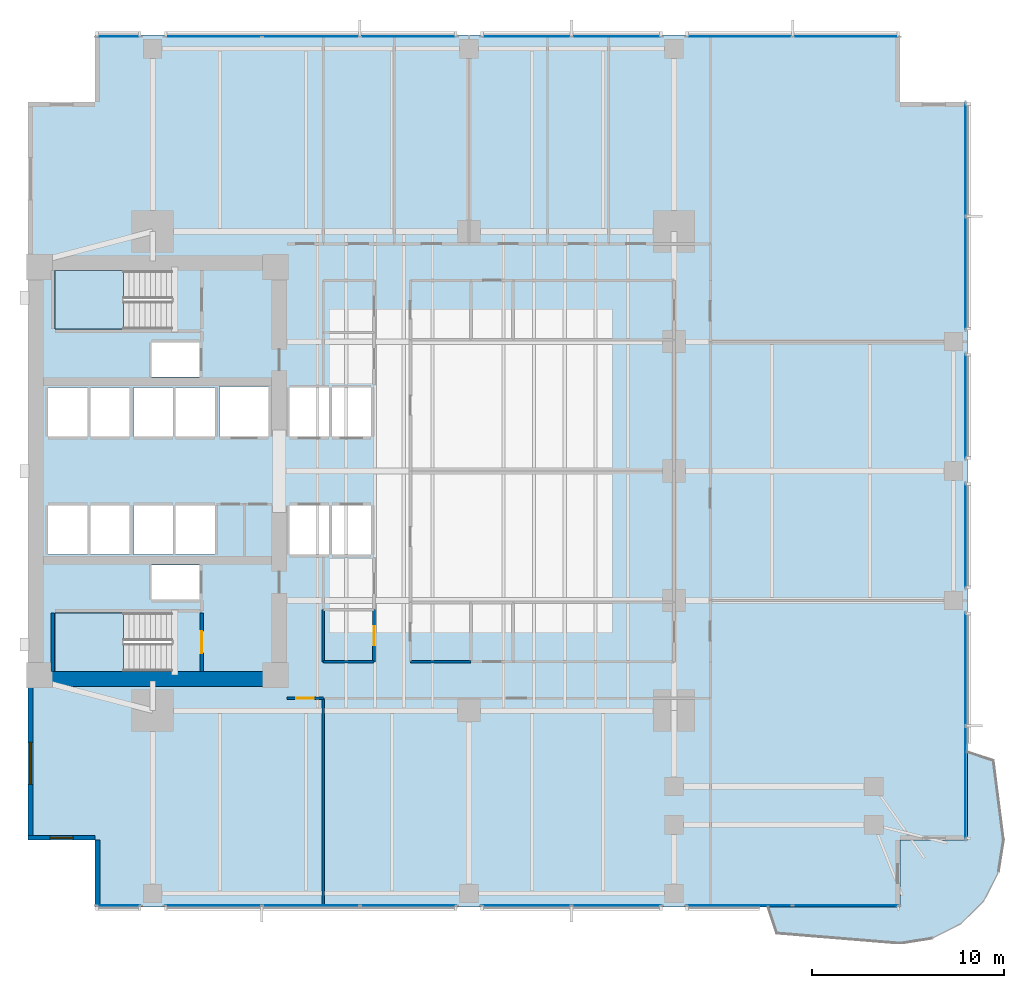
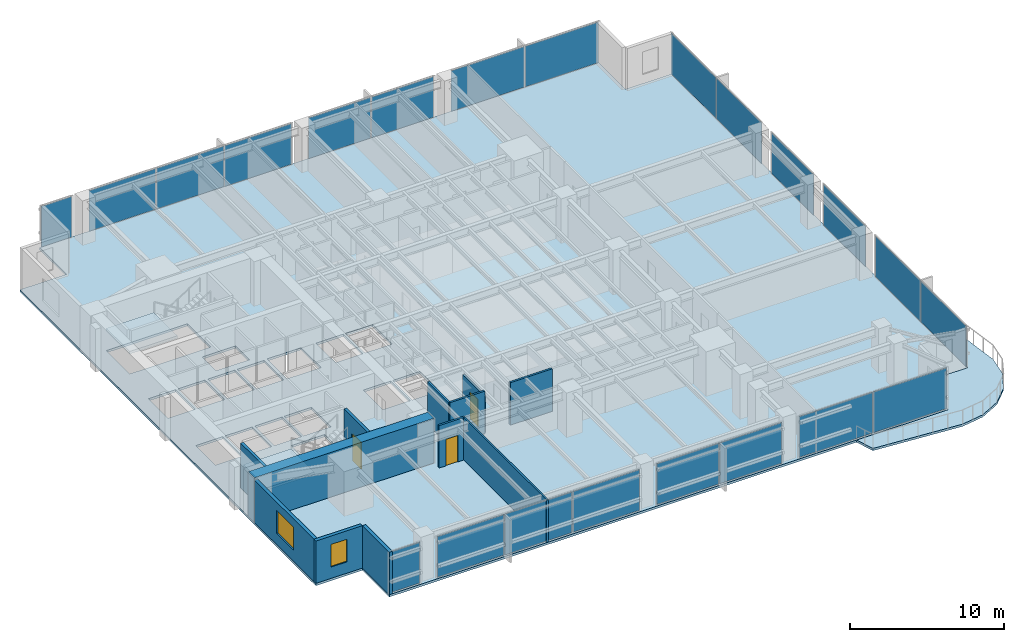
# One storey, part 7 of 15: 22 plates, 12 walls, 4 slabs, 3 doors, 2 windows, 5 openings, 14 elements without a shape of their own.
"""IFC4 building model written with IfcOpenShell, lengths in metres."""

from ifc_helpers import new_model, si_unit, direction, frame, frame_2d, origin, origin_2d, place, context, subcontext, project, spatial, polyline, rectangle, outline, extrude, material, layer, layer_set, type_object, element, fill, aggregate, save


model = new_model("IFC4")

# Units and contexts
model_context = context("Model", 3, precision=1e-05, world=origin(), true_north=direction((0.0, 1.0)))
body_context = subcontext(model_context, "Body", "Model", "MODEL_VIEW")
ifc_project = project(units=[si_unit("LENGTHUNIT", "METRE"), si_unit("AREAUNIT", "SQUARE_METRE"), si_unit("VOLUMEUNIT", "CUBIC_METRE"), si_unit("PLANEANGLEUNIT", "RADIAN"), si_unit("MASSUNIT", "GRAM", prefix="KILO")], contexts=[model_context])

# Site, building, storey
site_placement = place(None, origin())
site = spatial("IfcSite", under=ifc_project, at=site_placement, CompositionType="ELEMENT")
building_placement = place(site_placement, origin())
building = spatial("IfcBuilding", under=site, at=building_placement, Name="Kinhvarn Gate Tower", CompositionType="ELEMENT")
storey_placement = place(building_placement, frame((0.0, 0.0, 46.89990234375)))
storey = spatial("IfcBuildingStorey", under=building, at=storey_placement, Name="L11", CompositionType="ELEMENT", Elevation=46.89990234375)

# Curtain wall, plate
ifc_material_1 = material(Name="Anodised aluminium AW-6063", Category="aluminium")
ifc_layer_1 = layer(ifc_material_1, 0.179931640625)
ifc_layer_set_1 = layer_set([ifc_layer_1], Name="Anodised aluminium AW-6063")
curtain_wall_type = type_object("IfcCurtainWallType", Name="CW-SYS-2", PredefinedType="NOTDEFINED", material=ifc_layer_set_1)
curtain_wall_1_placement = place(storey_placement, origin())
curtain_wall_1 = element("IfcCurtainWall", 1, at=curtain_wall_1_placement, inside=storey, type_object=curtain_wall_type, Name="Curtain Wall CW2 (L11)", PredefinedType="NOTDEFINED")
ifc_material_2 = material(Name="Clear low-e double glazing", Category="glass")
ifc_layer_2 = layer(ifc_material_2, 0.031982421875)
ifc_layer_set_2 = layer_set([ifc_layer_2], Name="Clear low-e double glazing")
plate_type = type_object("IfcPlateType", Name="CW-PNL-VIS", PredefinedType="CURTAIN_PANEL", material=ifc_layer_set_2)
plate_1_placement = place(storey_placement, frame((9.2099609375, 2.590087890625, 0.070068359375), z_axis=(0.0, 0.0, 1.0), x_axis=(1.0, 0.0, 0.0)))
plate_1 = element("IfcPlate", 2, at=plate_1_placement, type_object=plate_type, Name="CW2 panel 1.1", PredefinedType="CURTAIN_PANEL", context=body_context, shape_type="SweptSolid", body=[
    extrude(rectangle(XDim=2.280029296875, YDim=0.031982421875, at=origin_2d()), origin(), (0.0, 0.0, 1.0), 3.22998046875),
])
aggregate(curtain_wall_1, [plate_1])

# Curtain wall, plates
curtain_wall_2_placement = place(storey_placement, origin())
curtain_wall_2 = element("IfcCurtainWall", 3, at=curtain_wall_2_placement, inside=storey, type_object=curtain_wall_type, Name="Curtain Wall CW2 (L11)", PredefinedType="NOTDEFINED")
plate_2_placement = place(storey_placement, frame((14.154052734375, 2.590087890625, 0.070068359375), z_axis=(0.0, 0.0, 1.0), x_axis=(1.0, 0.0, 0.0)))
plate_2 = element("IfcPlate", 4, at=plate_2_placement, type_object=plate_type, Name="CW2 panel 1.1", PredefinedType="CURTAIN_PANEL", context=body_context, shape_type="SweptSolid", body=[
    extrude(rectangle(XDim=5.00830078125, YDim=0.031982421875, at=origin_2d()), origin(), (0.0, 0.0, 1.0), 3.22998046875),
])
plate_3_placement = place(storey_placement, frame((19.25, 2.590087890625, 0.070068359375), z_axis=(0.0, 0.0, 1.0), x_axis=(1.0, 0.0, 0.0)))
plate_3 = element("IfcPlate", 5, at=plate_3_placement, type_object=plate_type, Name="CW2 panel 2.1", PredefinedType="CURTAIN_PANEL", context=body_context, shape_type="SweptSolid", body=[
    extrude(rectangle(XDim=5.043212890625, YDim=0.031982421875, at=origin_2d()), origin(), (0.0, 0.0, 1.0), 3.22998046875),
])
plate_4_placement = place(storey_placement, frame((24.345947265625, 2.590087890625, 0.070068359375), z_axis=(0.0, 0.0, 1.0), x_axis=(1.0, 0.0, 0.0)))
plate_4 = element("IfcPlate", 6, at=plate_4_placement, type_object=plate_type, Name="CW2 panel 3.1", PredefinedType="CURTAIN_PANEL", context=body_context, shape_type="SweptSolid", body=[
    extrude(rectangle(XDim=5.00830078125, YDim=0.031982421875, at=origin_2d()), origin(), (0.0, 0.0, 1.0), 3.22998046875),
])
aggregate(curtain_wall_2, [plate_2, plate_3, plate_4])

curtain_wall_3_placement = place(storey_placement, origin())
curtain_wall_3 = element("IfcCurtainWall", 7, at=curtain_wall_3_placement, inside=storey, type_object=curtain_wall_type, Name="Curtain Wall CW2 (L11)", PredefinedType="NOTDEFINED")
plate_5_placement = place(storey_placement, frame((30.482421875, 2.590087890625, 0.070068359375), z_axis=(0.0, 0.0, 1.0), x_axis=(1.0, 0.0, 0.0)))
plate_5 = element("IfcPlate", 8, at=plate_5_placement, type_object=plate_type, Name="CW2 panel 1.1", PredefinedType="CURTAIN_PANEL", context=body_context, shape_type="SweptSolid", body=[
    extrude(rectangle(XDim=4.6650390625, YDim=0.031982421875, at=origin_2d()), origin(), (0.0, 0.0, 1.0), 3.22998046875),
])
plate_6_placement = place(storey_placement, frame((35.217529296875, 2.590087890625, 0.070068359375), z_axis=(0.0, 0.0, 1.0), x_axis=(1.0, 0.0, 0.0)))
plate_6 = element("IfcPlate", 9, at=plate_6_placement, type_object=plate_type, Name="CW2 panel 2.1", PredefinedType="CURTAIN_PANEL", context=body_context, shape_type="SweptSolid", body=[
    extrude(rectangle(XDim=4.6650390625, YDim=0.031982421875, at=origin_2d()), origin(), (0.0, 0.0, 1.0), 3.22998046875),
])
aggregate(curtain_wall_3, [plate_5, plate_6])

curtain_wall_4_placement = place(storey_placement, origin())
curtain_wall_4 = element("IfcCurtainWall", 10, at=curtain_wall_4_placement, inside=storey, type_object=curtain_wall_type, Name="Curtain Wall CW2 (L11)", PredefinedType="NOTDEFINED")
plate_7_placement = place(storey_placement, frame((41.6025390625, 2.590087890625, 0.070068359375), z_axis=(0.0, 0.0, 1.0), x_axis=(1.0, 0.0, 0.0)))
plate_7 = element("IfcPlate", 11, at=plate_7_placement, type_object=plate_type, Name="CW2 panel 1.1", PredefinedType="CURTAIN_PANEL", context=body_context, shape_type="SweptSolid", body=[
    extrude(rectangle(XDim=5.5048828125, YDim=0.031982421875, at=origin_2d()), origin(), (0.0, 0.0, 1.0), 3.22998046875),
])
plate_8_placement = place(storey_placement, frame((47.177490234375, 2.590087890625, 0.070068359375), z_axis=(0.0, 0.0, 1.0), x_axis=(1.0, 0.0, 0.0)))
plate_8 = element("IfcPlate", 12, at=plate_8_placement, type_object=plate_type, Name="CW2 panel 2.1", PredefinedType="CURTAIN_PANEL", context=body_context, shape_type="SweptSolid", body=[
    extrude(rectangle(XDim=5.5048828125, YDim=0.031982421875, at=origin_2d()), origin(), (0.0, 0.0, 1.0), 3.22998046875),
])
aggregate(curtain_wall_4, [plate_7, plate_8])

curtain_wall_5_placement = place(storey_placement, origin())
curtain_wall_5 = element("IfcCurtainWall", 13, at=curtain_wall_5_placement, inside=storey, type_object=curtain_wall_type, Name="Curtain Wall CW2 (L11)", PredefinedType="NOTDEFINED")
plate_9_placement = place(storey_placement, frame((47.177490234375, 47.909912109375, 0.070068359375), z_axis=(0.0, 0.0, 1.0), x_axis=(-1.0, 0.0, 0.0)))
plate_9 = element("IfcPlate", 14, at=plate_9_placement, type_object=plate_type, Name="CW2 panel 1.1", PredefinedType="CURTAIN_PANEL", context=body_context, shape_type="SweptSolid", body=[
    extrude(rectangle(XDim=5.5048828125, YDim=0.031982421875, at=origin_2d()), origin(), (0.0, 0.0, 1.0), 3.22998046875),
])
plate_10_placement = place(storey_placement, frame((41.6025390625, 47.909912109375, 0.070068359375), z_axis=(0.0, 0.0, 1.0), x_axis=(-1.0, 0.0, 0.0)))
plate_10 = element("IfcPlate", 15, at=plate_10_placement, type_object=plate_type, Name="CW2 panel 2.1", PredefinedType="CURTAIN_PANEL", context=body_context, shape_type="SweptSolid", body=[
    extrude(rectangle(XDim=5.5048828125, YDim=0.031982421875, at=origin_2d()), origin(), (0.0, 0.0, 1.0), 3.22998046875),
])
aggregate(curtain_wall_5, [plate_9, plate_10])

curtain_wall_6_placement = place(storey_placement, origin())
curtain_wall_6 = element("IfcCurtainWall", 16, at=curtain_wall_6_placement, inside=storey, type_object=curtain_wall_type, Name="Curtain Wall CW2 (L11)", PredefinedType="NOTDEFINED")
plate_11_placement = place(storey_placement, frame((35.217529296875, 47.909912109375, 0.070068359375), z_axis=(0.0, 0.0, 1.0), x_axis=(-1.0, 0.0, 0.0)))
plate_11 = element("IfcPlate", 17, at=plate_11_placement, type_object=plate_type, Name="CW2 panel 1.1", PredefinedType="CURTAIN_PANEL", context=body_context, shape_type="SweptSolid", body=[
    extrude(rectangle(XDim=4.6650390625, YDim=0.031982421875, at=origin_2d()), origin(), (0.0, 0.0, 1.0), 3.22998046875),
])
plate_12_placement = place(storey_placement, frame((30.482421875, 47.909912109375, 0.070068359375), z_axis=(0.0, 0.0, 1.0), x_axis=(-1.0, 0.0, 0.0)))
plate_12 = element("IfcPlate", 18, at=plate_12_placement, type_object=plate_type, Name="CW2 panel 2.1", PredefinedType="CURTAIN_PANEL", context=body_context, shape_type="SweptSolid", body=[
    extrude(rectangle(XDim=4.6650390625, YDim=0.031982421875, at=origin_2d()), origin(), (0.0, 0.0, 1.0), 3.22998046875),
])
aggregate(curtain_wall_6, [plate_11, plate_12])

curtain_wall_7_placement = place(storey_placement, origin())
curtain_wall_7 = element("IfcCurtainWall", 19, at=curtain_wall_7_placement, inside=storey, type_object=curtain_wall_type, Name="Curtain Wall CW2 (L11)", PredefinedType="NOTDEFINED")
plate_13_placement = place(storey_placement, frame((24.345947265625, 47.909912109375, 0.070068359375), z_axis=(0.0, 0.0, 1.0), x_axis=(-1.0, 0.0, 0.0)))
plate_13 = element("IfcPlate", 20, at=plate_13_placement, type_object=plate_type, Name="CW2 panel 1.1", PredefinedType="CURTAIN_PANEL", context=body_context, shape_type="SweptSolid", body=[
    extrude(rectangle(XDim=5.00830078125, YDim=0.031982421875, at=origin_2d()), origin(), (0.0, 0.0, 1.0), 3.22998046875),
])
plate_14_placement = place(storey_placement, frame((19.25, 47.909912109375, 0.070068359375), z_axis=(0.0, 0.0, 1.0), x_axis=(-1.0, 0.0, 0.0)))
plate_14 = element("IfcPlate", 21, at=plate_14_placement, type_object=plate_type, Name="CW2 panel 2.1", PredefinedType="CURTAIN_PANEL", context=body_context, shape_type="SweptSolid", body=[
    extrude(rectangle(XDim=5.043212890625, YDim=0.031982421875, at=origin_2d()), origin(), (0.0, 0.0, 1.0), 3.22998046875),
])
plate_15_placement = place(storey_placement, frame((14.154052734375, 47.909912109375, 0.070068359375), z_axis=(0.0, 0.0, 1.0), x_axis=(-1.0, 0.0, 0.0)))
plate_15 = element("IfcPlate", 22, at=plate_15_placement, type_object=plate_type, Name="CW2 panel 3.1", PredefinedType="CURTAIN_PANEL", context=body_context, shape_type="SweptSolid", body=[
    extrude(rectangle(XDim=5.00830078125, YDim=0.031982421875, at=origin_2d()), origin(), (0.0, 0.0, 1.0), 3.22998046875),
])
aggregate(curtain_wall_7, [plate_13, plate_14, plate_15])

# Curtain wall, plate
curtain_wall_8_placement = place(storey_placement, origin())
curtain_wall_8 = element("IfcCurtainWall", 23, at=curtain_wall_8_placement, inside=storey, type_object=curtain_wall_type, Name="Curtain Wall CW2 (L11)", PredefinedType="NOTDEFINED")
plate_16_placement = place(storey_placement, frame((9.2099609375, 47.909912109375, 0.070068359375), z_axis=(0.0, 0.0, 1.0), x_axis=(-1.0, 0.0, 0.0)))
plate_16 = element("IfcPlate", 24, at=plate_16_placement, type_object=plate_type, Name="CW2 panel 1.1", PredefinedType="CURTAIN_PANEL", context=body_context, shape_type="SweptSolid", body=[
    extrude(rectangle(XDim=2.280029296875, YDim=0.031982421875, at=origin_2d()), origin(), (0.0, 0.0, 1.0), 3.22998046875),
])
aggregate(curtain_wall_8, [plate_16])

# Curtain wall, plates
curtain_wall_9_placement = place(storey_placement, origin())
curtain_wall_9 = element("IfcCurtainWall", 25, at=curtain_wall_9_placement, inside=storey, type_object=curtain_wall_type, Name="Curtain Wall CW2 (L11)", PredefinedType="NOTDEFINED")
plate_17_placement = place(storey_placement, frame((53.409912109375, 8.99755859375, 0.070068359375), z_axis=(0.0, 0.0, 1.0), x_axis=(0.0, 1.0, 0.0)))
plate_17 = element("IfcPlate", 26, at=plate_17_placement, type_object=plate_type, Name="CW2 panel 1.1", PredefinedType="CURTAIN_PANEL", context=body_context, shape_type="SweptSolid", body=[
    extrude(rectangle(XDim=5.85498046875, YDim=0.031982421875, at=origin_2d()), origin(), (0.0, 0.0, 1.0), 3.22998046875),
])
plate_18_placement = place(storey_placement, frame((53.409912109375, 14.922607421875, 0.070068359375), z_axis=(0.0, 0.0, 1.0), x_axis=(0.0, 1.0, 0.0)))
plate_18 = element("IfcPlate", 27, at=plate_18_placement, type_object=plate_type, Name="CW2 panel 2.1", PredefinedType="CURTAIN_PANEL", context=body_context, shape_type="SweptSolid", body=[
    extrude(rectangle(XDim=5.85498046875, YDim=0.031982421875, at=origin_2d()), origin(), (0.0, 0.0, 1.0), 3.22998046875),
])
aggregate(curtain_wall_9, [plate_17, plate_18])

# Curtain wall, plate
curtain_wall_10_placement = place(storey_placement, origin())
curtain_wall_10 = element("IfcCurtainWall", 28, at=curtain_wall_10_placement, inside=storey, type_object=curtain_wall_type, Name="Curtain Wall CW2 (L11)", PredefinedType="NOTDEFINED")
plate_19_placement = place(storey_placement, frame((53.409912109375, 21.875, 0.070068359375), z_axis=(0.0, 0.0, 1.0), x_axis=(0.0, 1.0, 0.0)))
plate_19 = element("IfcPlate", 29, at=plate_19_placement, type_object=plate_type, Name="CW2 panel 1.1", PredefinedType="CURTAIN_PANEL", context=body_context, shape_type="SweptSolid", body=[
    extrude(rectangle(XDim=5.449951171875, YDim=0.031982421875, at=origin_2d()), origin(), (0.0, 0.0, 1.0), 3.22998046875),
])
aggregate(curtain_wall_10, [plate_19])

curtain_wall_11_placement = place(storey_placement, origin())
curtain_wall_11 = element("IfcCurtainWall", 30, at=curtain_wall_11_placement, inside=storey, type_object=curtain_wall_type, Name="Curtain Wall CW2 (L11)", PredefinedType="NOTDEFINED")
plate_20_placement = place(storey_placement, frame((53.409912109375, 28.625, 0.070068359375), z_axis=(0.0, 0.0, 1.0), x_axis=(0.0, 1.0, 0.0)))
plate_20 = element("IfcPlate", 31, at=plate_20_placement, type_object=plate_type, Name="CW2 panel 1.1", PredefinedType="CURTAIN_PANEL", context=body_context, shape_type="SweptSolid", body=[
    extrude(rectangle(XDim=5.449951171875, YDim=0.031982421875, at=origin_2d()), origin(), (0.0, 0.0, 1.0), 3.22998046875),
])
aggregate(curtain_wall_11, [plate_20])

# Curtain wall, plates
curtain_wall_12_placement = place(storey_placement, origin())
curtain_wall_12 = element("IfcCurtainWall", 32, at=curtain_wall_12_placement, inside=storey, type_object=curtain_wall_type, Name="Curtain Wall CW2 (L11)", PredefinedType="NOTDEFINED")
plate_21_placement = place(storey_placement, frame((53.409912109375, 35.577392578125, 0.070068359375), z_axis=(0.0, 0.0, 1.0), x_axis=(0.0, 1.0, 0.0)))
plate_21 = element("IfcPlate", 33, at=plate_21_placement, type_object=plate_type, Name="CW2 panel 1.1", PredefinedType="CURTAIN_PANEL", context=body_context, shape_type="SweptSolid", body=[
    extrude(rectangle(XDim=5.85498046875, YDim=0.031982421875, at=origin_2d()), origin(), (0.0, 0.0, 1.0), 3.22998046875),
])
plate_22_placement = place(storey_placement, frame((53.409912109375, 41.50244140625, 0.070068359375), z_axis=(0.0, 0.0, 1.0), x_axis=(0.0, 1.0, 0.0)))
plate_22 = element("IfcPlate", 34, at=plate_22_placement, type_object=plate_type, Name="CW2 panel 2.1", PredefinedType="CURTAIN_PANEL", context=body_context, shape_type="SweptSolid", body=[
    extrude(rectangle(XDim=5.85498046875, YDim=0.031982421875, at=origin_2d()), origin(), (0.0, 0.0, 1.0), 3.22998046875),
])
aggregate(curtain_wall_12, [plate_21, plate_22])

# Slabs
ifc_material_3 = material(Name="Precast white architectural concrete C40/50", Category="concrete")
ifc_layer_3 = layer(ifc_material_3, 0.179931640625)
ifc_layer_set_3 = layer_set([ifc_layer_3], Name="Precast white architectural concrete C40/50")
slab_type_1 = type_object("IfcSlabType", Name="SLB-BAL-180", PredefinedType="FLOOR", material=ifc_layer_set_3)
slab_1_placement = place(storey_placement, frame((0.0, 0.0, -0.179931640625)))
element("IfcSlab", 35, at=slab_1_placement, inside=storey, type_object=slab_type_1, Name="S-Carve Curved Terrace Balcony Slab L11 (SE)", PredefinedType="FLOOR", context=body_context, shape_type="SweptSolid", body=[
    extrude(outline(polyline([(43.114013671875, 2.5), (43.56396484375, 1.139892578125), (50.0, 0.611083984375), (51.665283203125, 0.874755859375), (53.16748046875, 1.64013671875), (54.35986328125, 2.83251953125), (55.125244140625, 4.334716796875), (55.388916015625, 6.0), (54.860107421875, 10.139892578125), (53.5, 10.590087890625), (53.5, 6.0), (50.0, 6.0), (50.0, 2.5), (43.114013671875, 2.5)])), origin(), (0.0, 0.0, 1.0), 0.179931640625),
])
ifc_material_4 = material(Name="Concrete C40/50", Category="concrete")
ifc_layer_4 = layer(ifc_material_4, 0.179931640625)
ifc_layer_set_4 = layer_set([ifc_layer_4], Name="Concrete C40/50")
slab_type_2 = type_object("IfcSlabType", Name="SLB-FLR-180", PredefinedType="FLOOR", material=ifc_layer_set_4)
slab_2_placement = place(storey_placement, frame((0.0, 0.0, -0.179931640625)))
element("IfcSlab", 36, at=slab_2_placement, inside=storey, type_object=slab_type_2, Name="Suspended Floor Slab L11", PredefinedType="FLOOR", context=body_context, shape_type="SweptSolid", body=[
    extrude(outline(polyline([(8.0, 2.5), (50.0, 2.5), (50.0, 6.0), (53.5, 6.0), (53.5, 44.5), (50.0, 44.5), (50.0, 48.0), (8.0, 48.0), (8.0, 44.5), (4.5, 44.5), (4.5, 6.0), (8.0, 6.0), (8.0, 2.5)]), holes=[polyline([(5.89990234375, 14.800048828125), (12.0, 14.800048828125), (12.0, 17.85009765625), (5.89990234375, 17.85009765625), (5.89990234375, 14.800048828125)]), polyline([(5.89990234375, 32.64990234375), (12.0, 32.64990234375), (12.0, 35.699951171875), (5.89990234375, 35.699951171875), (5.89990234375, 32.64990234375)]), polyline([(18.14990234375, 20.89990234375), (20.199951171875, 20.89990234375), (20.199951171875, 23.449951171875), (18.14990234375, 23.449951171875), (18.14990234375, 20.89990234375)]), polyline([(20.35009765625, 20.89990234375), (22.39990234375, 20.89990234375), (22.39990234375, 23.449951171875), (20.35009765625, 23.449951171875), (20.35009765625, 20.89990234375)]), polyline([(18.14990234375, 27.050048828125), (20.199951171875, 27.050048828125), (20.199951171875, 29.60009765625), (18.14990234375, 29.60009765625), (18.14990234375, 27.050048828125)]), polyline([(20.35009765625, 27.050048828125), (22.39990234375, 27.050048828125), (22.39990234375, 29.60009765625), (20.35009765625, 29.60009765625), (20.35009765625, 27.050048828125)]), polyline([(5.550048828125, 20.89990234375), (7.60009765625, 20.89990234375), (7.60009765625, 23.449951171875), (5.550048828125, 23.449951171875), (5.550048828125, 20.89990234375)]), polyline([(7.75, 20.89990234375), (9.800048828125, 20.89990234375), (9.800048828125, 23.449951171875), (7.75, 23.449951171875), (7.75, 20.89990234375)]), polyline([(5.550048828125, 27.050048828125), (7.60009765625, 27.050048828125), (7.60009765625, 29.60009765625), (5.550048828125, 29.60009765625), (5.550048828125, 27.050048828125)]), polyline([(7.75, 27.050048828125), (9.800048828125, 27.050048828125), (9.800048828125, 29.60009765625), (7.75, 29.60009765625), (7.75, 27.050048828125)]), polyline([(10.0, 20.89990234375), (12.050048828125, 20.89990234375), (12.050048828125, 23.449951171875), (10.0, 23.449951171875), (10.0, 20.89990234375)]), polyline([(12.199951171875, 20.89990234375), (14.25, 20.89990234375), (14.25, 23.449951171875), (12.199951171875, 23.449951171875), (12.199951171875, 20.89990234375)]), polyline([(10.0, 27.050048828125), (12.050048828125, 27.050048828125), (12.050048828125, 29.60009765625), (10.0, 29.60009765625), (10.0, 27.050048828125)]), polyline([(12.199951171875, 27.050048828125), (14.25, 27.050048828125), (14.25, 29.60009765625), (12.199951171875, 29.60009765625), (12.199951171875, 27.050048828125)]), polyline([(14.5, 27.050048828125), (17.050048828125, 27.050048828125), (17.050048828125, 29.64990234375), (14.5, 29.64990234375), (14.5, 27.050048828125)]), polyline([(10.949951171875, 18.550048828125), (13.449951171875, 18.550048828125), (13.449951171875, 20.35009765625), (10.949951171875, 20.35009765625), (10.949951171875, 18.550048828125)]), polyline([(10.949951171875, 30.14990234375), (13.449951171875, 30.14990234375), (13.449951171875, 31.949951171875), (10.949951171875, 31.949951171875), (10.949951171875, 30.14990234375)])]), origin(), (0.0, 0.0, 1.0), 0.179931640625),
])

# Stair, slab
stair_type = type_object("IfcStairType", Name="STR-DLG-178", PredefinedType="HALF_TURN_STAIR", material=ifc_material_4)
stair_1_placement = place(storey_placement, origin())
stair_1 = element("IfcStair", 37, at=stair_1_placement, inside=storey, type_object=stair_type, Name="L11 Core Smokeproof Exit Stair ST1", PredefinedType="HALF_TURN_STAIR")
ifc_layer_5 = layer(ifc_material_4, 0.199951171875)
ifc_layer_set_5 = layer_set([ifc_layer_5], Name="Concrete C40/50")
slab_type_3 = type_object("IfcSlabType", Name="SLB-ST-LND", PredefinedType="LANDING", material=ifc_layer_set_5)
slab_3_placement = place(storey_placement, frame((0.0, 0.0, 1.5751953125)))
slab_3 = element("IfcSlab", 38, at=slab_3_placement, type_object=slab_type_3, Name="ST1 landing 1", PredefinedType="LANDING", context=body_context, shape_type="SweptSolid", body=[
    extrude(outline(polyline([(9.47998046875, 17.85009765625), (5.89990234375, 17.85009765625), (5.89990234375, 14.800048828125), (9.47998046875, 14.800048828125), (9.47998046875, 17.85009765625)])), origin(), (0.0, 0.0, 1.0), 0.199951171875),
])
aggregate(stair_1, [slab_3])

stair_2_placement = place(storey_placement, origin())
stair_2 = element("IfcStair", 39, at=stair_2_placement, inside=storey, type_object=stair_type, Name="L11 Core Smokeproof Exit Stair ST2", PredefinedType="HALF_TURN_STAIR")
slab_4_placement = place(storey_placement, frame((0.0, 0.0, 1.5751953125)))
slab_4 = element("IfcSlab", 40, at=slab_4_placement, type_object=slab_type_3, Name="ST2 landing 1", PredefinedType="LANDING", context=body_context, shape_type="SweptSolid", body=[
    extrude(outline(polyline([(9.47998046875, 35.699951171875), (5.89990234375, 35.699951171875), (5.89990234375, 32.64990234375), (9.47998046875, 32.64990234375), (9.47998046875, 35.699951171875)])), origin(), (0.0, 0.0, 1.0), 0.199951171875),
])
aggregate(stair_2, [slab_4])

# Wall
ifc_material_5 = material(Name="Concrete C70/85", Category="concrete")
ifc_layer_6 = layer(ifc_material_5, 0.800048828125)
ifc_layer_set_6 = layer_set([ifc_layer_6], Name="Concrete C70/85")
wall_type_1 = type_object("IfcWallType", Name="WL-CORE-800", PredefinedType="SHEAR", material=ifc_layer_set_6)
wall_1_placement = place(storey_placement, frame((4.5, 14.39990234375, 0.0), z_axis=(0.0, 0.0, 1.0), x_axis=(1.0, 0.0, 0.0)))
element("IfcWall", 41, at=wall_1_placement, inside=storey, type_object=wall_type_1, Name="Core South Shear Wall L11 800 mm", PredefinedType="SHEAR", context=body_context, shape_type="SweptSolid", body=[
    extrude(rectangle(XDim=13.5, YDim=0.800048828125, at=frame_2d((6.75, 0.0))), origin(), (0.0, 0.0, 1.0), 3.550048828125),
])

# Wall, opening, window
ifc_material_6 = material(Name="Fired architectural terracotta", Category="masonry")
ifc_layer_7 = layer(ifc_material_6, 0.25)
ifc_layer_set_7 = layer_set([ifc_layer_7], Name="Fired architectural terracotta")
wall_type_2 = type_object("IfcWallType", Name="WL-EXT-250", PredefinedType="SOLIDWALL", material=ifc_layer_set_7)
wall_2_placement = place(storey_placement, frame((4.625, 14.0, 0.0), z_axis=(0.0, 0.0, 1.0), x_axis=(0.0, -1.0, 0.0)))
wall_2 = element("IfcWall", 42, at=wall_2_placement, inside=storey, type_object=wall_type_2, Name="Exterior Solidwall Wall EW-250 (L11 West-South)", PredefinedType="SOLIDWALL", context=body_context, shape_type="SweptSolid", body=[
    extrude(rectangle(XDim=8.0, YDim=0.25, at=frame_2d((4.0, 0.0))), origin(), (0.0, 0.0, 1.0), 3.3701171875),
])
opening_1_placement = place(wall_2_placement, frame((2.89990234375, 0.0, 0.89990234375)))
opening_1 = element("IfcOpeningElement", 43, at=opening_1_placement, cuts=wall_2, Name="Opening WN-01", PredefinedType="OPENING", context=body_context, shape_type="SweptSolid", body=[
    extrude(rectangle(XDim=2.199951171875, YDim=1.800048828125, at=frame_2d((1.10009765625, 0.89990234375))), frame((0.0, 0.135009765625, 0.0), z_axis=(0.0, -1.0, 0.0), x_axis=(1.0, 0.0, 0.0)), (0.0, 0.0, 1.0), 0.27001953125),
])
window_type_1 = type_object("IfcWindowType", Name="WIN-RIB-2200", PartitioningType="SINGLE_PANEL", PredefinedType="WINDOW", material=ifc_material_2)
window_1_placement = place(opening_1_placement, origin())
window_1 = element("IfcWindow", 44, at=window_1_placement, inside=storey, type_object=window_type_1, Name="West Flank Double-Glazed Ribbon Window 2200x1800 mm (L11)", OverallHeight=1.800048828125, OverallWidth=2.199951171875, PartitioningType="SINGLE_PANEL", PredefinedType="WINDOW", context=body_context, shape_type="SweptSolid", body=[
    extrude(rectangle(XDim=2.199951171875, YDim=1.800048828125, at=frame_2d((1.10009765625, 0.89990234375))), frame((0.0, 0.030029296875, 0.0), z_axis=(0.0, -1.0, 0.0), x_axis=(1.0, 0.0, 0.0)), (0.0, 0.0, 1.0), 0.06005859375),
])
fill(opening_1, window_1)

wall_3_placement = place(storey_placement, frame((4.5, 6.125, 0.0), z_axis=(0.0, 0.0, 1.0), x_axis=(1.0, 0.0, 0.0)))
wall_3 = element("IfcWall", 45, at=wall_3_placement, inside=storey, type_object=wall_type_2, Name="Exterior Solidwall Wall EW-250 (L11 SW-Notch-1)", PredefinedType="SOLIDWALL", context=body_context, shape_type="SweptSolid", body=[
    extrude(rectangle(XDim=3.5, YDim=0.25, at=frame_2d((1.75, 0.0))), origin(), (0.0, 0.0, 1.0), 3.3701171875),
])
opening_2_placement = place(wall_3_placement, frame((1.14990234375, 0.0, 0.89990234375)))
opening_2 = element("IfcOpeningElement", 46, at=opening_2_placement, cuts=wall_3, Name="Opening WN-02", PredefinedType="OPENING", context=body_context, shape_type="SweptSolid", body=[
    extrude(rectangle(XDim=1.199951171875, YDim=1.800048828125, at=frame_2d((0.60009765625, 0.89990234375))), frame((0.0, 0.135009765625, 0.0), z_axis=(0.0, -1.0, 0.0), x_axis=(1.0, 0.0, 0.0)), (0.0, 0.0, 1.0), 0.27001953125),
])
window_type_2 = type_object("IfcWindowType", Name="WIN-NTC-1200", PartitioningType="SINGLE_PANEL", PredefinedType="WINDOW", material=ifc_material_2)
window_2_placement = place(opening_2_placement, origin())
window_2 = element("IfcWindow", 47, at=window_2_placement, inside=storey, type_object=window_type_2, Name="Recessed Corner Notch Punched Window 1200x1800 mm (L11)", OverallHeight=1.800048828125, OverallWidth=1.199951171875, PartitioningType="SINGLE_PANEL", PredefinedType="WINDOW", context=body_context, shape_type="SweptSolid", body=[
    extrude(rectangle(XDim=1.199951171875, YDim=1.800048828125, at=frame_2d((0.60009765625, 0.89990234375))), frame((0.0, 0.030029296875, 0.0), z_axis=(0.0, -1.0, 0.0), x_axis=(1.0, 0.0, 0.0)), (0.0, 0.0, 1.0), 0.06005859375),
])
fill(opening_2, window_2)

# Walls
wall_4_placement = place(storey_placement, frame((8.125, 6.0, 0.0), z_axis=(0.0, 0.0, 1.0), x_axis=(0.0, -1.0, 0.0)))
element("IfcWall", 48, at=wall_4_placement, inside=storey, type_object=wall_type_2, Name="Exterior Solidwall Wall EW-250 (L11 SW-Notch-2)", PredefinedType="SOLIDWALL", context=body_context, shape_type="SweptSolid", body=[
    extrude(rectangle(XDim=3.5, YDim=0.25, at=frame_2d((1.75, 0.0))), origin(), (0.0, 0.0, 1.0), 3.3701171875),
])
ifc_material_7 = material(Name="Gypsum acoustic partition board")
ifc_layer_8 = layer(ifc_material_7, 0.14990234375)
ifc_layer_set_8 = layer_set([ifc_layer_8], Name="Gypsum acoustic partition board")
wall_type_3 = type_object("IfcWallType", Name="WL-PLM-150F", PredefinedType="PLUMBINGWALL", material=ifc_layer_set_8)
wall_5_placement = place(storey_placement, frame((24.449951171875, 15.300048828125, 0.0), z_axis=(0.0, 0.0, 1.0), x_axis=(1.0, 0.0, 0.0)))
element("IfcWall", 49, at=wall_5_placement, inside=storey, type_object=wall_type_3, Name="Interior Partition PLW-150F (L11)", PredefinedType="PLUMBINGWALL", context=body_context, shape_type="SweptSolid", body=[
    extrude(rectangle(XDim=3.150146484375, YDim=0.14990234375, at=frame_2d((1.5751953125, 0.0))), origin(), (0.0, 0.0, 1.0), 3.3701171875),
])
ifc_layer_9 = layer(ifc_material_7, 0.1201171875)
ifc_layer_set_9 = layer_set([ifc_layer_9], Name="Gypsum acoustic partition board")
wall_type_4 = type_object("IfcWallType", Name="WL-PRT-120", PredefinedType="PARTITIONING", material=ifc_layer_set_9)
wall_6_placement = place(storey_placement, frame((19.89990234375, 2.510009765625, 0.0), z_axis=(0.0, 0.0, 1.0), x_axis=(0.0, 1.0, 0.0)))
element("IfcWall", 50, at=wall_6_placement, inside=storey, type_object=wall_type_4, Name="Interior Partition PW-120 (L11)", PredefinedType="PARTITIONING", context=body_context, shape_type="SweptSolid", body=[
    extrude(rectangle(XDim=10.889892578125, YDim=0.1201171875, at=frame_2d((5.44482421875, 0.0))), origin(), (0.0, 0.0, 1.0), 3.3701171875),
])

# Wall, opening, door
ifc_layer_10 = layer(ifc_material_7, 0.14990234375)
ifc_layer_set_10 = layer_set([ifc_layer_10], Name="Gypsum acoustic partition board")
wall_type_5 = type_object("IfcWallType", Name="WL-PRT-150F", PredefinedType="PARTITIONING", material=ifc_layer_set_10)
wall_7_placement = place(storey_placement, frame((22.550048828125, 15.300048828125, 0.0), z_axis=(0.0, 0.0, 1.0), x_axis=(0.0, 1.0, 0.0)))
wall_7 = element("IfcWall", 51, at=wall_7_placement, inside=storey, type_object=wall_type_5, Name="Interior Partition PW-150F (L11)", PredefinedType="PARTITIONING", context=body_context, shape_type="SweptSolid", body=[
    extrude(rectangle(XDim=2.719970703125, YDim=0.14990234375, at=frame_2d((1.35986328125, 0.0))), origin(), (0.0, 0.0, 1.0), 3.010009765625),
])
opening_3_placement = place(wall_7_placement, frame((0.860107421875, 0.0, 0.0)))
opening_3 = element("IfcOpeningElement", 52, at=opening_3_placement, cuts=wall_7, Name="Opening ID-02", PredefinedType="OPENING", context=body_context, shape_type="SweptSolid", body=[
    extrude(rectangle(XDim=1.0, YDim=2.14990234375, at=frame_2d((0.5, 1.074951171875))), frame((0.0, 0.0849609375, 0.0), z_axis=(0.0, -1.0, 0.0), x_axis=(1.0, 0.0, 0.0)), (0.0, 0.0, 1.0), 0.169921875),
])
door_type_1 = type_object("IfcDoorType", Name="DR-INT-1000", OperationType="NOTDEFINED", PredefinedType="DOOR", material=ifc_material_1)
door_1_placement = place(opening_3_placement, origin())
door_1 = element("IfcDoor", 53, at=door_1_placement, inside=storey, type_object=door_type_1, Name="Standard Office & Meeting Room Door 1000x2150 mm (L11)", OperationType="SINGLE_SWING_RIGHT", OverallHeight=2.14990234375, OverallWidth=1.0, PredefinedType="DOOR", context=body_context, shape_type="SweptSolid", body=[
    extrude(rectangle(XDim=1.0, YDim=2.14990234375, at=frame_2d((0.5, 1.074951171875))), frame((0.0, 0.02490234375, 0.0), z_axis=(0.0, -1.0, 0.0), x_axis=(1.0, 0.0, 0.0)), (0.0, 0.0, 1.0), 0.050048828125),
])
fill(opening_3, door_1)

# Walls
wall_8_placement = place(storey_placement, frame((19.89990234375, 15.300048828125, 0.0), z_axis=(0.0, 0.0, 1.0), x_axis=(0.0, 1.0, 0.0)))
element("IfcWall", 54, at=wall_8_placement, inside=storey, type_object=wall_type_5, Name="Interior Partition PW-150F (L11)", PredefinedType="PARTITIONING", context=body_context, shape_type="SweptSolid", body=[
    extrude(rectangle(XDim=2.719970703125, YDim=0.14990234375, at=frame_2d((1.35986328125, 0.0))), origin(), (0.0, 0.0, 1.0), 3.3701171875),
])
wall_9_placement = place(storey_placement, frame((19.89990234375, 15.300048828125, 0.0), z_axis=(0.0, 0.0, 1.0), x_axis=(1.0, 0.0, 0.0)))
element("IfcWall", 55, at=wall_9_placement, inside=storey, type_object=wall_type_5, Name="Interior Partition PW-150F (L11)", PredefinedType="PARTITIONING", context=body_context, shape_type="SweptSolid", body=[
    extrude(rectangle(XDim=2.650146484375, YDim=0.14990234375, at=frame_2d((1.3251953125, 0.0))), origin(), (0.0, 0.0, 1.0), 3.3701171875),
])

# Wall, opening, door
wall_10_placement = place(storey_placement, frame((18.0, 13.39990234375, 0.0), z_axis=(0.0, 0.0, 1.0), x_axis=(1.0, 0.0, 0.0)))
wall_10 = element("IfcWall", 56, at=wall_10_placement, inside=storey, type_object=wall_type_5, Name="Interior Partition PW-150F (L11)", PredefinedType="PARTITIONING", context=body_context, shape_type="SweptSolid", body=[
    extrude(rectangle(XDim=1.89990234375, YDim=0.14990234375, at=frame_2d((0.949951171875, 0.0))), origin(), (0.0, 0.0, 1.0), 3.3701171875),
])
opening_4_placement = place(wall_10_placement, frame((0.5, 0.0, 0.0)))
opening_4 = element("IfcOpeningElement", 57, at=opening_4_placement, cuts=wall_10, Name="Opening ID-03", PredefinedType="OPENING", context=body_context, shape_type="SweptSolid", body=[
    extrude(rectangle(XDim=0.89990234375, YDim=2.10009765625, at=frame_2d((0.449951171875, 1.050048828125))), frame((0.0, 0.0849609375, 0.0), z_axis=(0.0, -1.0, 0.0), x_axis=(1.0, 0.0, 0.0)), (0.0, 0.0, 1.0), 0.169921875),
])
door_type_2 = type_object("IfcDoorType", Name="DR-INT-900", OperationType="NOTDEFINED", PredefinedType="DOOR", material=ifc_material_1)
door_2_placement = place(opening_4_placement, origin())
door_2 = element("IfcDoor", 58, at=door_2_placement, inside=storey, type_object=door_type_2, Name="Cellular Office & Restroom Door 900x2100 mm (L11)", OperationType="SINGLE_SWING_LEFT", OverallHeight=2.10009765625, OverallWidth=0.89990234375, PredefinedType="DOOR", context=body_context, shape_type="SweptSolid", body=[
    extrude(rectangle(XDim=0.89990234375, YDim=2.10009765625, at=frame_2d((0.449951171875, 1.050048828125))), frame((0.0, 0.02490234375, 0.0), z_axis=(0.0, -1.0, 0.0), x_axis=(1.0, 0.0, 0.0)), (0.0, 0.0, 1.0), 0.050048828125),
])
fill(opening_4, door_2)

# Wall
ifc_layer_11 = layer(ifc_material_4, 0.199951171875)
ifc_layer_set_11 = layer_set([ifc_layer_11], Name="Concrete C40/50")
wall_type_6 = type_object("IfcWallType", Name="WL-SHF-200", PredefinedType="SOLIDWALL", material=ifc_layer_set_11)
wall_11_placement = place(storey_placement, frame((5.7900390625, 14.800048828125, 0.0), z_axis=(0.0, 0.0, 1.0), x_axis=(0.0, 1.0, 0.0)))
element("IfcWall", 59, at=wall_11_placement, inside=storey, type_object=wall_type_6, Name="Stair ST1 West Shaft Wall (L11)", PredefinedType="SOLIDWALL", context=body_context, shape_type="SweptSolid", body=[
    extrude(rectangle(XDim=3.050048828125, YDim=0.199951171875, at=frame_2d((1.52490234375, 0.0))), origin(), (0.0, 0.0, 1.0), 3.550048828125),
])

# Wall, opening, door
wall_12_placement = place(storey_placement, frame((13.56005859375, 14.800048828125, 0.0), z_axis=(0.0, 0.0, 1.0), x_axis=(0.0, 1.0, 0.0)))
wall_12 = element("IfcWall", 60, at=wall_12_placement, inside=storey, type_object=wall_type_6, Name="Stair ST1 East Entry Wall (L11)", PredefinedType="SOLIDWALL", context=body_context, shape_type="SweptSolid", body=[
    extrude(rectangle(XDim=3.050048828125, YDim=0.199951171875, at=frame_2d((1.52490234375, 0.0))), origin(), (0.0, 0.0, 1.0), 3.550048828125),
])
opening_5_placement = place(wall_12_placement, frame((0.949951171875, 0.0, 0.0)))
opening_5 = element("IfcOpeningElement", 61, at=opening_5_placement, cuts=wall_12, Name="Opening FD-01", PredefinedType="OPENING", context=body_context, shape_type="SweptSolid", body=[
    extrude(rectangle(XDim=1.14990234375, YDim=2.14990234375, at=frame_2d((0.574951171875, 1.074951171875))), frame((0.0, 0.10986328125, 0.0), z_axis=(0.0, -1.0, 0.0), x_axis=(1.0, 0.0, 0.0)), (0.0, 0.0, 1.0), 0.219970703125),
])
door_type_3 = type_object("IfcDoorType", Name="DR-ST-1150", OperationType="NOTDEFINED", PredefinedType="DOOR", material=ifc_material_1)
door_3_placement = place(opening_5_placement, origin())
door_3 = element("IfcDoor", 62, at=door_3_placement, inside=storey, type_object=door_type_3, Name="Exit Stair ST1 Fire Door (L11)", OperationType="SINGLE_SWING_LEFT", OverallHeight=2.14990234375, OverallWidth=1.14990234375, PredefinedType="DOOR", context=body_context, shape_type="SweptSolid", body=[
    extrude(rectangle(XDim=1.14990234375, YDim=2.14990234375, at=frame_2d((0.574951171875, 1.074951171875))), frame((0.0, 0.02490234375, 0.0), z_axis=(0.0, -1.0, 0.0), x_axis=(1.0, 0.0, 0.0)), (0.0, 0.0, 1.0), 0.050048828125),
])
fill(opening_5, door_3)

save(model, "model.ifc")
